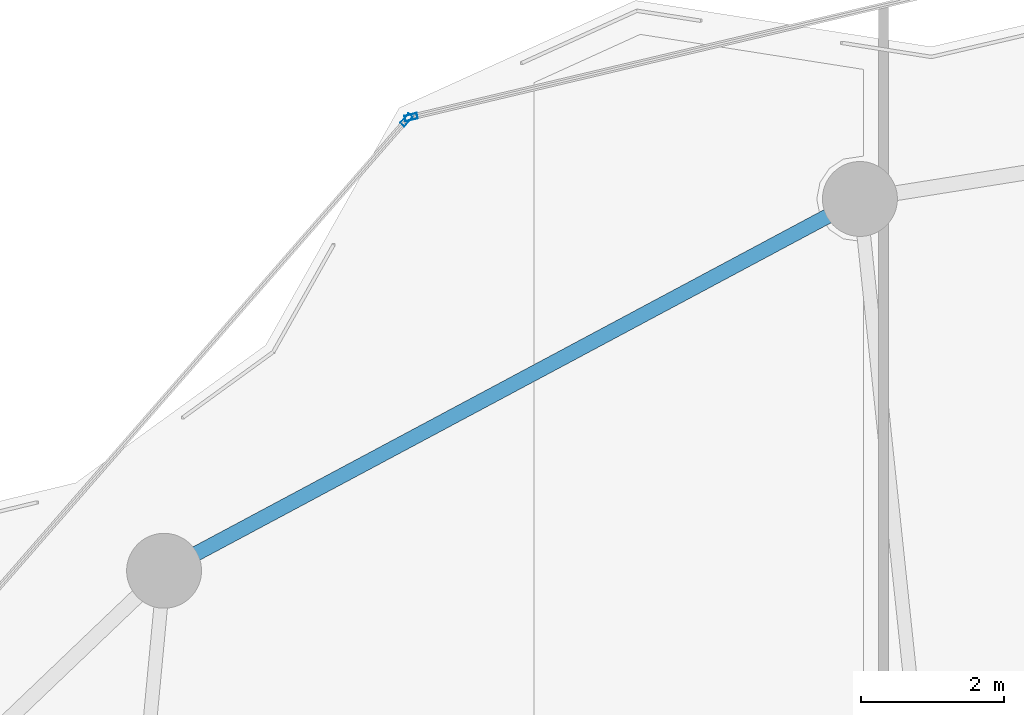
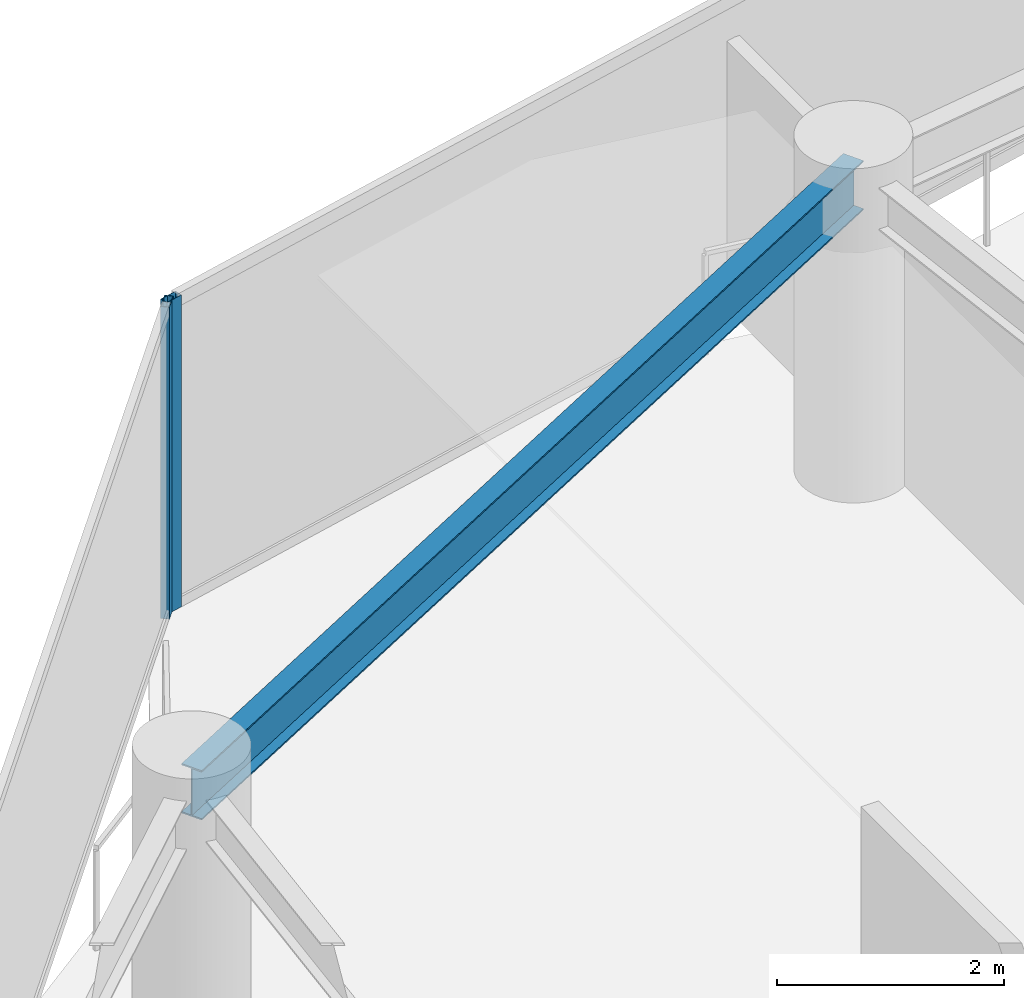
# One storey, part 17 of 28: 2 members, 1 beam, 2 elements without a shape of their own.
"""IFC4 building model written with IfcOpenShell, lengths in metres."""

from ifc_helpers import new_model, si_unit, direction, frame, origin, origin_2d, place, context, subcontext, project, spatial, hollow_rectangle, i_section, extrude, material, layer, layer_set, material_profile, profile_set, type_object, element, aggregate, save


model = new_model("IFC4")

# Units and contexts
model_context = context("Model", 3, precision=1e-05, world=origin(), true_north=direction((0.0, 1.0)))
body_context = subcontext(model_context, "Body", "Model", "MODEL_VIEW")
ifc_project = project(units=[si_unit("LENGTHUNIT", "METRE"), si_unit("AREAUNIT", "SQUARE_METRE"), si_unit("VOLUMEUNIT", "CUBIC_METRE"), si_unit("PLANEANGLEUNIT", "RADIAN"), si_unit("MASSUNIT", "GRAM", prefix="KILO")], contexts=[model_context])

# Site, building, storey
site_placement = place(None, origin())
site = spatial("IfcSite", under=ifc_project, at=site_placement, CompositionType="ELEMENT")
building_placement = place(site_placement, origin())
building = spatial("IfcBuilding", under=site, at=building_placement, Name="Kazevale Care Tower and Concert Hall", CompositionType="ELEMENT")
storey_placement = place(building_placement, frame((0.0, 0.0, 231.60009765625)))
storey = spatial("IfcBuildingStorey", under=building, at=storey_placement, Name="L61", CompositionType="ELEMENT", Elevation=231.60009765625)

# Curtain wall, member
ifc_material_1 = material(Name="Aluminium 6063-T6 and Low-E Glass", Category="aluminium")
ifc_layer_1 = layer(ifc_material_1, 0.179931640625)
ifc_layer_set_1 = layer_set([ifc_layer_1], Name="Aluminium 6063-T6 and Low-E Glass")
curtain_wall_type_1 = type_object("IfcCurtainWallType", Name="Convex Checkerboard Finned Curtain Wall CW-2", PredefinedType="NOTDEFINED", material=ifc_layer_set_1)
curtain_wall_1_placement = place(storey_placement, origin())
curtain_wall_1 = element("IfcCurtainWall", 1, at=curtain_wall_1_placement, inside=storey, type_object=curtain_wall_type_1, Name="cw:L61:f14", PredefinedType="NOTDEFINED")
ifc_material_2 = material(Name="Aluminium 6063-T6", Category="aluminium")
ifc_material_profile_1 = material_profile(ifc_material_2, hollow_rectangle(XDim=0.080078125, YDim=0.179931640625, WallThickness=0.0048828125, at=origin_2d()), Name="ALU80x180x5")
ifc_profile_set_1 = profile_set([ifc_material_profile_1], Name="Aluminium 6063-T6")
member_type_1 = type_object("IfcMemberType", Name="CW-2 Mullion ALU80x180x5", PredefinedType="MULLION", material=ifc_profile_set_1)
member_1_placement = place(storey_placement, frame((27.145751953125, 61.326904296875, 0.0), z_axis=(0.0, 0.0, 1.0), x_axis=(-0.753738225685, 0.657174776708, 0.0)))
member_1 = element("IfcMember", 2, at=member_1_placement, type_object=member_type_1, Name="CW-2 mullion 2", PredefinedType="MULLION", context=body_context, shape_type="SweptSolid", body=[
    extrude(hollow_rectangle(XDim=0.080078125, YDim=0.179931640625, WallThickness=0.0048828125, at=origin_2d()), origin(), (0.0, 0.0, 1.0), 3.35986328125),
])
aggregate(curtain_wall_1, [member_1])

ifc_layer_2 = layer(ifc_material_1, 0.179931640625)
ifc_layer_set_2 = layer_set([ifc_layer_2], Name="Aluminium 6063-T6 and Low-E Glass")
curtain_wall_type_2 = type_object("IfcCurtainWallType", Name="Waist & Upper Residential Curtain Wall CW-4", PredefinedType="NOTDEFINED", material=ifc_layer_set_2)
curtain_wall_2_placement = place(storey_placement, origin())
curtain_wall_2 = element("IfcCurtainWall", 3, at=curtain_wall_2_placement, inside=storey, type_object=curtain_wall_type_2, Name="cw:L61:f15", PredefinedType="NOTDEFINED")
ifc_material_profile_2 = material_profile(ifc_material_2, hollow_rectangle(XDim=0.080078125, YDim=0.179931640625, WallThickness=0.0048828125, at=origin_2d()), Name="ALU80x180x5")
ifc_profile_set_2 = profile_set([ifc_material_profile_2], Name="Aluminium 6063-T6")
member_type_2 = type_object("IfcMemberType", Name="CW-4 Mullion ALU80x180x5", PredefinedType="MULLION", material=ifc_profile_set_2)
member_2_placement = place(storey_placement, frame((27.2109375, 61.3662109375, 0.0), z_axis=(0.0, 0.0, 1.0), x_axis=(-0.230439111929, 0.973086746233, 0.0)))
member_2 = element("IfcMember", 4, at=member_2_placement, type_object=member_type_2, Name="CW-4 mullion 1", PredefinedType="MULLION", context=body_context, shape_type="SweptSolid", body=[
    extrude(hollow_rectangle(XDim=0.080078125, YDim=0.179931640625, WallThickness=0.0048828125, at=origin_2d()), origin(), (0.0, 0.0, 1.0), 3.35986328125),
])
aggregate(curtain_wall_2, [member_2])

# Beam
ifc_material_3 = material(Name="Steel ASTM A572 Gr 50", Category="steel")
ifc_material_profile_3 = material_profile(ifc_material_3, i_section(OverallWidth=0.208984375, OverallDepth=0.532958984375, WebThickness=0.01025390625, FlangeThickness=0.015625, at=origin_2d()), Name="W530x92")
ifc_profile_set_3 = profile_set([ifc_material_profile_3], Name="Steel ASTM A572 Gr 50")
beam_type = type_object("IfcBeamType", Name="Upper Ring Beam W530x92", PredefinedType="BEAM", material=ifc_profile_set_3)
beam_placement = place(storey_placement, frame((33.5, 60.219970703125, 3.093505859375), z_axis=(-0.881978519833, -0.471289603697, 0.0), x_axis=(0.471289603697, -0.881978519833, 0.0)))
element("IfcBeam", 5, at=beam_placement, inside=storey, type_object=beam_type, Name="beam:L61:ring:06", PredefinedType="BEAM", context=body_context, shape_type="SweptSolid", body=[
    extrude(i_section(OverallWidth=0.208984375, OverallDepth=0.532958984375, WebThickness=0.01025390625, FlangeThickness=0.015625, at=origin_2d()), origin(), (0.0, 0.0, 1.0), 11.0546875),
])

save(model, "model.ifc")
